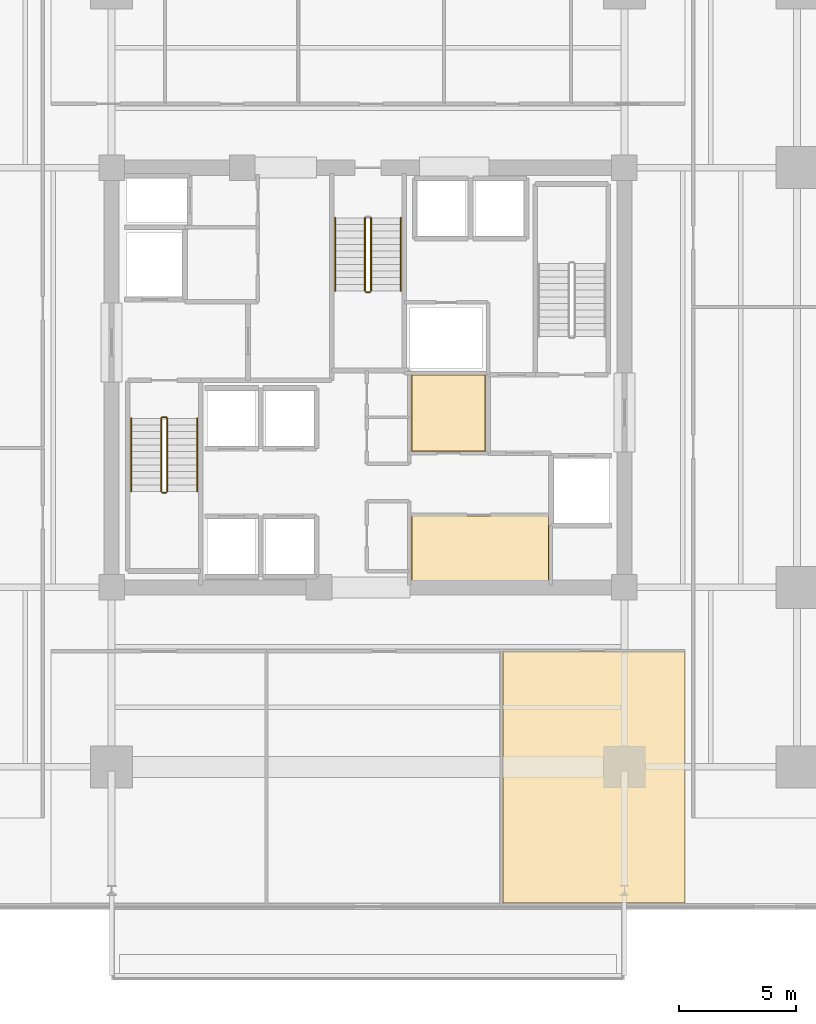
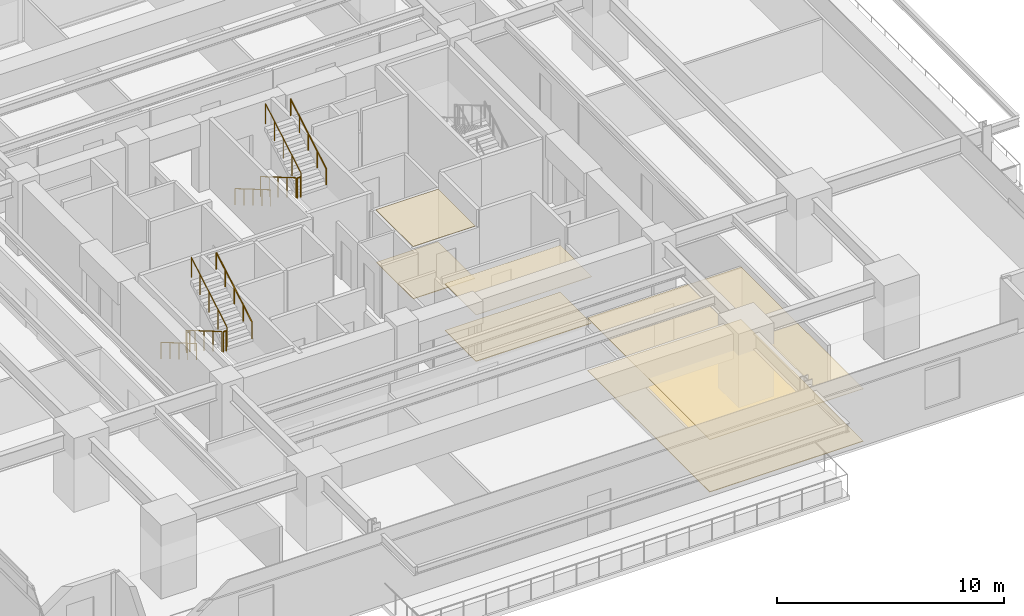
# One storey, part 20 of 23: 11 railings, 6 coverings.
"""IFC4 building model written with IfcOpenShell, lengths in metres."""

from ifc_helpers import new_model, si_unit, direction, frame, origin, origin_2d, place, context, subcontext, project, spatial, polyline, circle, outline, extrude, material, layer, layer_set, type_object, element, save


model = new_model("IFC4")

# Units and contexts
model_context = context("Model", 3, precision=1e-05, world=origin(), true_north=direction((0.0, 1.0)))
body_context = subcontext(model_context, "Body", "Model", "MODEL_VIEW")
ifc_project = project(units=[si_unit("LENGTHUNIT", "METRE"), si_unit("AREAUNIT", "SQUARE_METRE"), si_unit("VOLUMEUNIT", "CUBIC_METRE"), si_unit("PLANEANGLEUNIT", "RADIAN"), si_unit("MASSUNIT", "GRAM", prefix="KILO")], contexts=[model_context])

# Site, building, storey
site_placement = place(None, origin())
site = spatial("IfcSite", under=ifc_project, at=site_placement, CompositionType="ELEMENT")
building_placement = place(site_placement, origin())
building = spatial("IfcBuilding", under=site, at=building_placement, Name="Kovane Verandah Tower", CompositionType="ELEMENT")
storey_placement = place(building_placement, frame((0.0, 0.0, 91.60009765625)))
storey = spatial("IfcBuildingStorey", under=building, at=storey_placement, Name="L21", CompositionType="ELEMENT", Elevation=91.60009765625)

# Coverings
ifc_material_1 = material(Name="Perforated Acoustic Mineral-Fibre Ceiling Tile", Category="gypsum")
ifc_layer_1 = layer(ifc_material_1, 0.02490234375)
ifc_layer_set_1 = layer_set([ifc_layer_1], Name="Perforated Acoustic Mineral-Fibre Ceiling Tile")
covering_type_1 = type_object("IfcCoveringType", Name="CV-CEIL-25", PredefinedType="CEILING", material=ifc_layer_set_1)
covering_1_placement = place(storey_placement, frame((0.0, 0.0, 2.514892578125)))
element("IfcCovering", 1, at=covering_1_placement, inside=storey, type_object=covering_type_1, Name="L21 Records Vault Room Acoustic Ceiling", PredefinedType="CEILING", context=body_context, shape_type="SweptSolid", body=[
    extrude(outline(polyline([(41.864990234375, 18.784912109375), (47.764892578125, 18.784912109375), (47.764892578125, 21.56494140625), (41.864990234375, 21.56494140625), (41.864990234375, 18.784912109375)])), origin(), (0.0, 0.0, 1.0), 0.02490234375),
])
covering_2_placement = place(storey_placement, frame((0.0, 0.0, 2.824951171875)))
element("IfcCovering", 2, at=covering_2_placement, inside=storey, type_object=covering_type_1, Name="L21 Document Archive Room Acoustic Ceiling", PredefinedType="CEILING", context=body_context, shape_type="SweptSolid", body=[
    extrude(outline(polyline([(41.864990234375, 24.3349609375), (45.034912109375, 24.3349609375), (45.034912109375, 27.614990234375), (41.864990234375, 27.614990234375), (41.864990234375, 24.3349609375)])), origin(), (0.0, 0.0, 1.0), 0.02490234375),
])
covering_3_placement = place(storey_placement, frame((0.0, 0.0, 2.824951171875)))
element("IfcCovering", 3, at=covering_3_placement, inside=storey, type_object=covering_type_1, Name="L21 Focus Studio S3 Acoustic Ceiling", PredefinedType="CEILING", context=body_context, shape_type="SweptSolid", body=[
    extrude(outline(polyline([(45.781982421875, 4.955078125), (53.60009765625, 4.955078125), (53.60009765625, 15.75), (45.781982421875, 15.75), (45.781982421875, 4.955078125)])), origin(), (0.0, 0.0, 1.0), 0.02490234375),
])
ifc_material_2 = material(Name="Polished Terrazzo and Raised-Access Carpet Tile Finish", Category="concrete")
ifc_layer_2 = layer(ifc_material_2, 0.030029296875)
ifc_layer_set_2 = layer_set([ifc_layer_2], Name="Polished Terrazzo and Raised-Access Carpet Tile Finish")
covering_type_2 = type_object("IfcCoveringType", Name="CV-FLOR-30", PredefinedType="FLOORING", material=ifc_layer_set_2)
covering_4_placement = place(storey_placement, origin())
element("IfcCovering", 4, at=covering_4_placement, inside=storey, type_object=covering_type_2, Name="L21 Records Vault Room Floor Finish", PredefinedType="FLOORING", context=body_context, shape_type="SweptSolid", body=[
    extrude(outline(polyline([(41.8798828125, 18.800048828125), (47.75, 18.800048828125), (47.75, 21.550048828125), (41.8798828125, 21.550048828125), (41.8798828125, 18.800048828125)])), origin(), (0.0, 0.0, 1.0), 0.02978515625),
])
covering_5_placement = place(storey_placement, origin())
element("IfcCovering", 5, at=covering_5_placement, inside=storey, type_object=covering_type_2, Name="L21 Document Archive Room Floor Finish", PredefinedType="FLOORING", context=body_context, shape_type="SweptSolid", body=[
    extrude(outline(polyline([(41.8798828125, 24.35009765625), (45.02001953125, 24.35009765625), (45.02001953125, 27.60009765625), (41.8798828125, 27.60009765625), (41.8798828125, 24.35009765625)])), origin(), (0.0, 0.0, 1.0), 0.02978515625),
])
covering_6_placement = place(storey_placement, origin())
element("IfcCovering", 6, at=covering_6_placement, inside=storey, type_object=covering_type_2, Name="L21 Focus Studio S3 Floor Finish", PredefinedType="FLOORING", context=body_context, shape_type="SweptSolid", body=[
    extrude(outline(polyline([(45.781982421875, 4.955078125), (53.60009765625, 4.955078125), (53.60009765625, 15.75), (45.781982421875, 15.75), (45.781982421875, 4.955078125)])), origin(), (0.0, 0.0, 1.0), 0.02978515625),
])

# Railings
ifc_material_3 = material(Name="Brushed Stainless Steel Handrail", Category="steel")
railing_type_1 = type_object("IfcRailingType", Name="RL-HAND-920", PredefinedType="HANDRAIL", material=ifc_material_3)
railing_1_placement = place(storey_placement, frame((29.85009765625, 25.75, 0.16650390625)))
element("IfcRailing", 7, at=railing_1_placement, inside=storey, type_object=railing_type_1, Name="L21 ST-01 stair handrail 1", PredefinedType="HANDRAIL", context=body_context, shape_type="SweptSolid", body=[
    extrude(circle(Radius=0.02392578125, at=origin_2d()), frame((0.0, 0.0, 0.8759765625), z_axis=(0.0, -0.863210265497, 0.504844567704), x_axis=(1.0, 0.0, 0.0)), (0.0, 0.0, 1.0), 3.6318359375),
    extrude(circle(Radius=0.02099609375, at=origin_2d()), origin(), (0.0, 0.0, 1.0), 0.851806640625),
    extrude(circle(Radius=0.02099609375, at=origin_2d()), frame((0.0, -0.78369140625, 0.45849609375)), (0.0, 0.0, 1.0), 0.851806640625),
    extrude(circle(Radius=0.02099609375, at=origin_2d()), frame((0.0, -1.5673828125, 0.916748046875)), (0.0, 0.0, 1.0), 0.851806640625),
    extrude(circle(Radius=0.02099609375, at=origin_2d()), frame((0.0, -2.351318359375, 1.375)), (0.0, 0.0, 1.0), 0.851806640625),
    extrude(circle(Radius=0.02099609375, at=origin_2d()), frame((0.0, -3.135009765625, 1.83349609375)), (0.0, 0.0, 1.0), 0.851806640625),
])
railing_2_placement = place(storey_placement, frame((32.669921875, 22.614990234375, 2.16650390625)))
element("IfcRailing", 8, at=railing_2_placement, inside=storey, type_object=railing_type_1, Name="L21 ST-01 stair handrail 2", PredefinedType="HANDRAIL", context=body_context, shape_type="SweptSolid", body=[
    extrude(circle(Radius=0.02392578125, at=origin_2d()), frame((0.0, 0.0, 0.8759765625), z_axis=(0.0, 0.863210265497, 0.504844567704), x_axis=(-1.0, 0.0, 0.0)), (0.0, 0.0, 1.0), 3.6318359375),
    extrude(circle(Radius=0.02099609375, at=origin_2d()), origin(), (0.0, 0.0, 1.0), 0.851806640625),
    extrude(circle(Radius=0.02099609375, at=origin_2d()), frame((0.0, 0.78369140625, 0.45849609375)), (0.0, 0.0, 1.0), 0.851806640625),
    extrude(circle(Radius=0.02099609375, at=origin_2d()), frame((0.0, 1.5673828125, 0.916748046875)), (0.0, 0.0, 1.0), 0.851806640625),
    extrude(circle(Radius=0.02099609375, at=origin_2d()), frame((0.0, 2.351318359375, 1.375)), (0.0, 0.0, 1.0), 0.851806640625),
    extrude(circle(Radius=0.02099609375, at=origin_2d()), frame((0.0, 3.135009765625, 1.83349609375)), (0.0, 0.0, 1.0), 0.851806640625),
])
railing_3_placement = place(storey_placement, frame((38.590087890625, 34.35009765625, 0.16650390625)))
element("IfcRailing", 9, at=railing_3_placement, inside=storey, type_object=railing_type_1, Name="L21 ST-03 stair handrail 1", PredefinedType="HANDRAIL", context=body_context, shape_type="SweptSolid", body=[
    extrude(circle(Radius=0.02392578125, at=origin_2d()), frame((0.0, 0.0, 0.8759765625), z_axis=(0.0, -0.863210265497, 0.504844567704), x_axis=(1.0, 0.0, 0.0)), (0.0, 0.0, 1.0), 3.6318359375),
    extrude(circle(Radius=0.02099609375, at=origin_2d()), origin(), (0.0, 0.0, 1.0), 0.851806640625),
    extrude(circle(Radius=0.02099609375, at=origin_2d()), frame((0.0, -0.78369140625, 0.45849609375)), (0.0, 0.0, 1.0), 0.851806640625),
    extrude(circle(Radius=0.02099609375, at=origin_2d()), frame((0.0, -1.5673828125, 0.916748046875)), (0.0, 0.0, 1.0), 0.851806640625),
    extrude(circle(Radius=0.02099609375, at=origin_2d()), frame((0.0, -2.351318359375, 1.375)), (0.0, 0.0, 1.0), 0.851806640625),
    extrude(circle(Radius=0.02099609375, at=origin_2d()), frame((0.0, -3.135009765625, 1.83349609375)), (0.0, 0.0, 1.0), 0.851806640625),
])
railing_4_placement = place(storey_placement, frame((41.409912109375, 31.215087890625, 2.16650390625)))
element("IfcRailing", 10, at=railing_4_placement, inside=storey, type_object=railing_type_1, Name="L21 ST-03 stair handrail 2", PredefinedType="HANDRAIL", context=body_context, shape_type="SweptSolid", body=[
    extrude(circle(Radius=0.02392578125, at=origin_2d()), frame((0.0, 0.0, 0.8759765625), z_axis=(0.0, 0.863210265497, 0.504844567704), x_axis=(-1.0, 0.0, 0.0)), (0.0, 0.0, 1.0), 3.6318359375),
    extrude(circle(Radius=0.02099609375, at=origin_2d()), origin(), (0.0, 0.0, 1.0), 0.851806640625),
    extrude(circle(Radius=0.02099609375, at=origin_2d()), frame((0.0, 0.78369140625, 0.45849609375)), (0.0, 0.0, 1.0), 0.851806640625),
    extrude(circle(Radius=0.02099609375, at=origin_2d()), frame((0.0, 1.5673828125, 0.916748046875)), (0.0, 0.0, 1.0), 0.851806640625),
    extrude(circle(Radius=0.02099609375, at=origin_2d()), frame((0.0, 2.351318359375, 1.375)), (0.0, 0.0, 1.0), 0.851806640625),
    extrude(circle(Radius=0.02099609375, at=origin_2d()), frame((0.0, 3.135009765625, 1.83349609375)), (0.0, 0.0, 1.0), 0.851806640625),
])
ifc_material_4 = material(Name="Painted Steel Stairwell Guardrail", Category="steel")
railing_type_2 = type_object("IfcRailingType", Name="RL-STGUARD-1120", PredefinedType="GUARDRAIL", material=ifc_material_4)
railing_5_placement = place(storey_placement, frame((31.1298828125, 25.75, 0.16650390625)))
element("IfcRailing", 11, at=railing_5_placement, inside=storey, type_object=railing_type_2, Name="L21 ST-01 stair guard 1", PredefinedType="GUARDRAIL", context=body_context, shape_type="SweptSolid", body=[
    extrude(circle(Radius=0.02392578125, at=origin_2d()), frame((0.0, 0.0, 1.076171875), z_axis=(0.0, -0.863210265497, 0.504844567704), x_axis=(1.0, 0.0, 0.0)), (0.0, 0.0, 1.0), 3.6318359375),
    extrude(circle(Radius=0.02099609375, at=origin_2d()), origin(), (0.0, 0.0, 1.0), 1.052001953125),
    extrude(circle(Radius=0.02099609375, at=origin_2d()), frame((0.0, -0.78369140625, 0.45849609375)), (0.0, 0.0, 1.0), 1.052001953125),
    extrude(circle(Radius=0.02099609375, at=origin_2d()), frame((0.0, -1.5673828125, 0.916748046875)), (0.0, 0.0, 1.0), 1.052001953125),
    extrude(circle(Radius=0.02099609375, at=origin_2d()), frame((0.0, -2.351318359375, 1.375)), (0.0, 0.0, 1.0), 1.052001953125),
    extrude(circle(Radius=0.02099609375, at=origin_2d()), frame((0.0, -3.135009765625, 1.83349609375)), (0.0, 0.0, 1.0), 1.052001953125),
])
railing_6_placement = place(storey_placement, frame((31.179931640625, 22.56494140625, 2.0)))
element("IfcRailing", 12, at=railing_6_placement, inside=storey, type_object=railing_type_2, Name="L21 ST-01 stair guard 2", PredefinedType="GUARDRAIL", context=body_context, shape_type="SweptSolid", body=[
    extrude(circle(Radius=0.02392578125, at=origin_2d()), frame((0.0, 0.0, 1.076171875), z_axis=(1.0, 0.0, 0.0), x_axis=(0.0, 1.0, 0.0)), (0.0, 0.0, 1.0), 0.16015625),
    extrude(circle(Radius=0.02099609375, at=origin_2d()), origin(), (0.0, 0.0, 1.0), 1.052001953125),
    extrude(circle(Radius=0.02099609375, at=origin_2d()), frame((0.16015625, 0.0, 0.0)), (0.0, 0.0, 1.0), 1.052001953125),
])
railing_7_placement = place(storey_placement, frame((31.389892578125, 22.614990234375, 2.16650390625)))
element("IfcRailing", 13, at=railing_7_placement, inside=storey, type_object=railing_type_2, Name="L21 ST-01 stair guard 3", PredefinedType="GUARDRAIL", context=body_context, shape_type="SweptSolid", body=[
    extrude(circle(Radius=0.02392578125, at=origin_2d()), frame((0.0, 0.0, 1.076171875), z_axis=(0.0, 0.863210265497, 0.504844567704), x_axis=(-1.0, 0.0, 0.0)), (0.0, 0.0, 1.0), 3.6318359375),
    extrude(circle(Radius=0.02099609375, at=origin_2d()), origin(), (0.0, 0.0, 1.0), 1.052001953125),
    extrude(circle(Radius=0.02099609375, at=origin_2d()), frame((0.0, 0.78369140625, 0.45849609375)), (0.0, 0.0, 1.0), 1.052001953125),
    extrude(circle(Radius=0.02099609375, at=origin_2d()), frame((0.0, 1.5673828125, 0.916748046875)), (0.0, 0.0, 1.0), 1.052001953125),
    extrude(circle(Radius=0.02099609375, at=origin_2d()), frame((0.0, 2.351318359375, 1.375)), (0.0, 0.0, 1.0), 1.052001953125),
    extrude(circle(Radius=0.02099609375, at=origin_2d()), frame((0.0, 3.135009765625, 1.83349609375)), (0.0, 0.0, 1.0), 1.052001953125),
])
railing_8_placement = place(storey_placement, frame((31.179931640625, 25.800048828125, 0.0)))
element("IfcRailing", 14, at=railing_8_placement, inside=storey, type_object=railing_type_2, Name="L21 ST-01 stair guard 4", PredefinedType="GUARDRAIL", context=body_context, shape_type="SweptSolid", body=[
    extrude(circle(Radius=0.02392578125, at=origin_2d()), frame((0.0, 0.0, 1.076171875), z_axis=(1.0, 0.0, 0.0), x_axis=(0.0, 1.0, 0.0)), (0.0, 0.0, 1.0), 0.16015625),
    extrude(circle(Radius=0.02099609375, at=origin_2d()), origin(), (0.0, 0.0, 1.0), 1.052001953125),
    extrude(circle(Radius=0.02099609375, at=origin_2d()), frame((0.16015625, 0.0, 0.0)), (0.0, 0.0, 1.0), 1.052001953125),
])
railing_9_placement = place(storey_placement, frame((39.8701171875, 34.35009765625, 0.16650390625)))
element("IfcRailing", 15, at=railing_9_placement, inside=storey, type_object=railing_type_2, Name="L21 ST-03 stair guard 1", PredefinedType="GUARDRAIL", context=body_context, shape_type="SweptSolid", body=[
    extrude(circle(Radius=0.02392578125, at=origin_2d()), frame((0.0, 0.0, 1.076171875), z_axis=(0.0, -0.863210265497, 0.504844567704), x_axis=(1.0, 0.0, 0.0)), (0.0, 0.0, 1.0), 3.6318359375),
    extrude(circle(Radius=0.02099609375, at=origin_2d()), origin(), (0.0, 0.0, 1.0), 1.052001953125),
    extrude(circle(Radius=0.02099609375, at=origin_2d()), frame((0.0, -0.78369140625, 0.45849609375)), (0.0, 0.0, 1.0), 1.052001953125),
    extrude(circle(Radius=0.02099609375, at=origin_2d()), frame((0.0, -1.5673828125, 0.916748046875)), (0.0, 0.0, 1.0), 1.052001953125),
    extrude(circle(Radius=0.02099609375, at=origin_2d()), frame((0.0, -2.351318359375, 1.375)), (0.0, 0.0, 1.0), 1.052001953125),
    extrude(circle(Radius=0.02099609375, at=origin_2d()), frame((0.0, -3.135009765625, 1.83349609375)), (0.0, 0.0, 1.0), 1.052001953125),
])
railing_10_placement = place(storey_placement, frame((39.919921875, 31.1650390625, 2.0)))
element("IfcRailing", 16, at=railing_10_placement, inside=storey, type_object=railing_type_2, Name="L21 ST-03 stair guard 2", PredefinedType="GUARDRAIL", context=body_context, shape_type="SweptSolid", body=[
    extrude(circle(Radius=0.02392578125, at=origin_2d()), frame((0.0, 0.0, 1.076171875), z_axis=(1.0, 0.0, 0.0), x_axis=(0.0, 1.0, 0.0)), (0.0, 0.0, 1.0), 0.16015625),
    extrude(circle(Radius=0.02099609375, at=origin_2d()), origin(), (0.0, 0.0, 1.0), 1.052001953125),
    extrude(circle(Radius=0.02099609375, at=origin_2d()), frame((0.16015625, 0.0, 0.0)), (0.0, 0.0, 1.0), 1.052001953125),
])
railing_11_placement = place(storey_placement, frame((40.1298828125, 31.215087890625, 2.16650390625)))
element("IfcRailing", 17, at=railing_11_placement, inside=storey, type_object=railing_type_2, Name="L21 ST-03 stair guard 3", PredefinedType="GUARDRAIL", context=body_context, shape_type="SweptSolid", body=[
    extrude(circle(Radius=0.02392578125, at=origin_2d()), frame((0.0, 0.0, 1.076171875), z_axis=(0.0, 0.863210265497, 0.504844567704), x_axis=(-1.0, 0.0, 0.0)), (0.0, 0.0, 1.0), 3.6318359375),
    extrude(circle(Radius=0.02099609375, at=origin_2d()), origin(), (0.0, 0.0, 1.0), 1.052001953125),
    extrude(circle(Radius=0.02099609375, at=origin_2d()), frame((0.0, 0.78369140625, 0.45849609375)), (0.0, 0.0, 1.0), 1.052001953125),
    extrude(circle(Radius=0.02099609375, at=origin_2d()), frame((0.0, 1.5673828125, 0.916748046875)), (0.0, 0.0, 1.0), 1.052001953125),
    extrude(circle(Radius=0.02099609375, at=origin_2d()), frame((0.0, 2.351318359375, 1.375)), (0.0, 0.0, 1.0), 1.052001953125),
    extrude(circle(Radius=0.02099609375, at=origin_2d()), frame((0.0, 3.135009765625, 1.83349609375)), (0.0, 0.0, 1.0), 1.052001953125),
])

save(model, "model.ifc")
